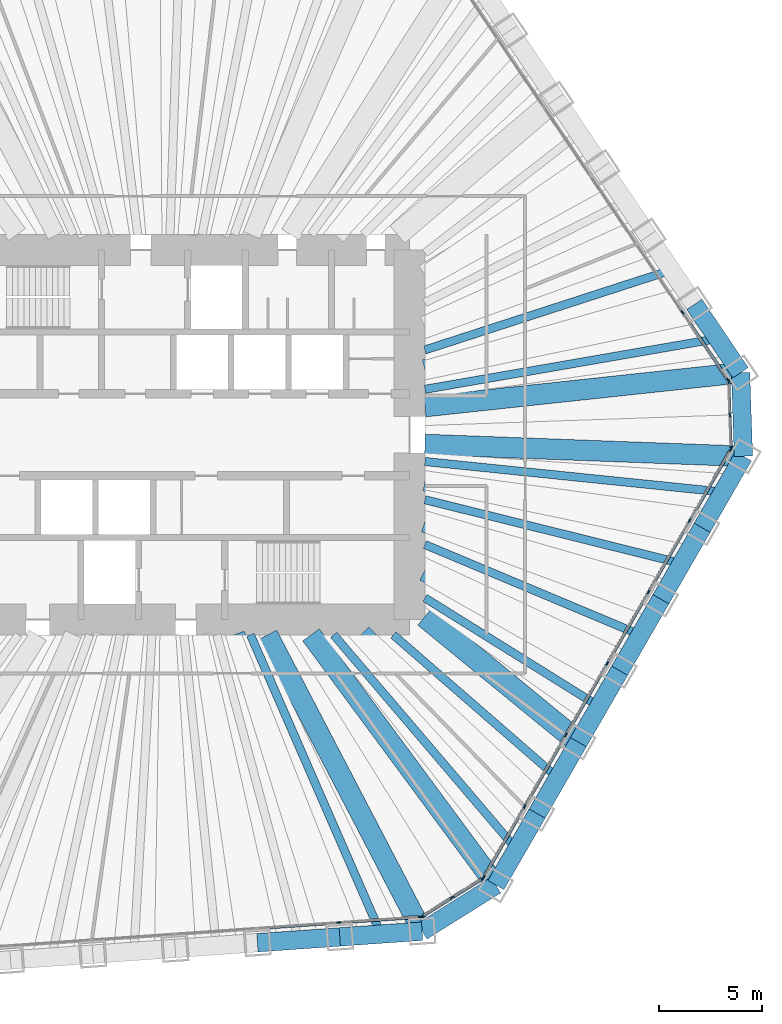
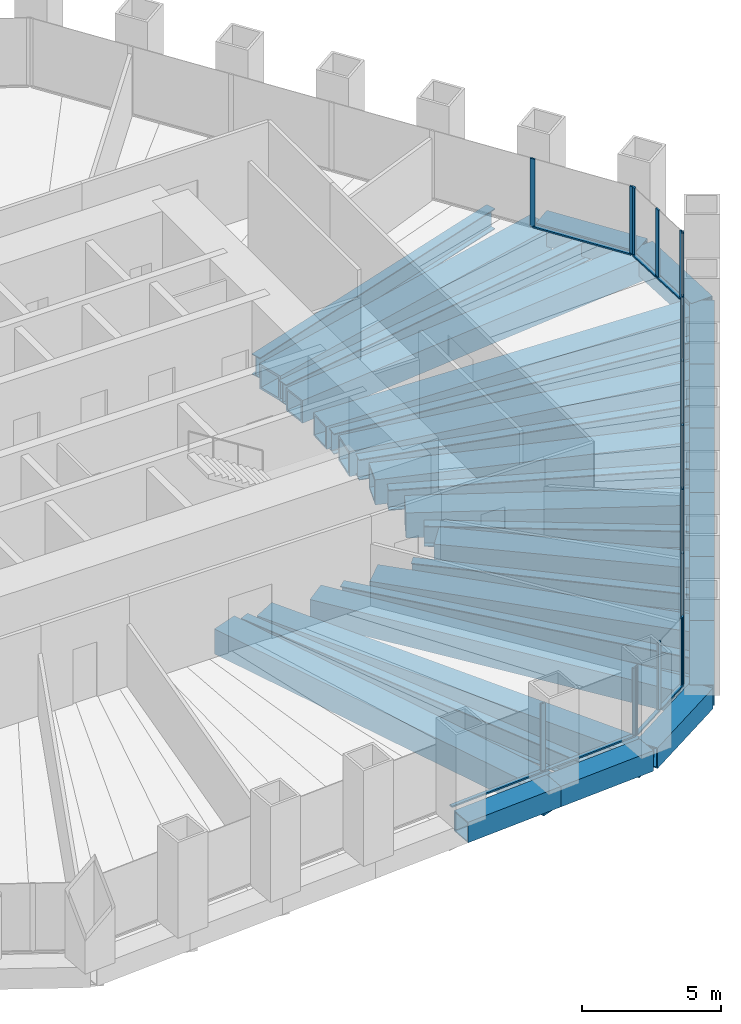
# One storey, part 4 of 12: 31 beams, 30 members, 5 elements without a shape of their own.
"""IFC4 building model written with IfcOpenShell, lengths in metres."""

import ifcopenshell
import ifcopenshell.guid

model = None  # the IFC model being written
_history = None  # IfcOwnerHistory: only IFC2X3 demands one
_inside = {}  # id of a spatial element -> (the spatial element, [elements in it])
_under = {}  # id of a project, library or spatial element -> (it, [spatial elements below it])
_declared = {}  # id of a project -> (the project, [libraries it declares])
_typed = {}  # id of a type object -> (the type object, [elements of that type])
_made_of = {}  # id of a material, layer set ... -> (it, [elements and type objects made of it])


def new_model(schema):
    """Start an empty IFC model of exactly this schema.

    Asked for "IFC4X3", IfcOpenShell would pick the latest addendum, in which some entities
    have other attributes; the version numbers below select the first issue.
    IFC2X3 requires an IfcOwnerHistory on every rooted entity: one is made here for all.
    """
    global model, _history
    if schema == "IFC4X3":
        model = ifcopenshell.file(schema_version=(4, 3, 0, 0))
    else:
        model = ifcopenshell.file(schema=schema)
    _inside.clear()
    _under.clear()
    _declared.clear()
    _typed.clear()
    _made_of.clear()
    _history = None
    if model.schema == "IFC2X3":
        org = make("IfcOrganization", Name="unknown")
        user = make(
            "IfcPersonAndOrganization",
            ThePerson=make("IfcPerson", FamilyName="unknown"),
            TheOrganization=org,
        )
        app = make(
            "IfcApplication",
            ApplicationDeveloper=org,
            Version="unknown",
            ApplicationFullName="unknown",
            ApplicationIdentifier="unknown",
        )
        _history = make(
            "IfcOwnerHistory",
            OwningUser=user,
            OwningApplication=app,
            ChangeAction="ADDED",
            CreationDate=0,
        )
    return model


def make(cls, **values):
    """One entity of the class cls with the attributes given. An attribute that is None is left unset."""
    return model.create_entity(
        cls, **{name: value for name, value in values.items() if value is not None}
    )


def rooted(cls, **values):
    """An entity with a GlobalId (a new one), such as an element, a storey or a relation."""
    return make(cls, GlobalId=ifcopenshell.guid.new(), OwnerHistory=_history, **values)


def si_unit(unit_type, name, prefix=None):
    """IfcSIUnit, for example si_unit("LENGTHUNIT", "METRE", prefix="MILLI")."""
    return make("IfcSIUnit", UnitType=unit_type, Prefix=prefix, Name=name)


def assignment(units):
    """IfcUnitAssignment: the units of a project."""
    return None if units is None else make("IfcUnitAssignment", Units=units)


def point(xyz):
    """IfcCartesianPoint."""
    return None if xyz is None else make("IfcCartesianPoint", Coordinates=xyz)


def direction(xyz):
    """IfcDirection."""
    return None if xyz is None else make("IfcDirection", DirectionRatios=xyz)


def frame(location, z_axis=None, x_axis=None):
    """IfcAxis2Placement3D, a coordinate frame: its origin and axes. An axis left out is left unset."""
    return make(
        "IfcAxis2Placement3D",
        Location=point(location),
        Axis=direction(z_axis),
        RefDirection=direction(x_axis),
    )


def frame_2d(location, x_axis=None):
    """IfcAxis2Placement2D, a coordinate frame in the plane: its origin and x axis."""
    return make(
        "IfcAxis2Placement2D", Location=point(location), RefDirection=direction(x_axis)
    )


def origin():
    """The frame at (0, 0, 0) with its axes left unset."""
    return frame((0.0, 0.0, 0.0))


def origin_2d():
    """The frame at (0, 0) in the plane with its x axis left unset."""
    return frame_2d((0.0, 0.0))


def place(relative_to, where):
    """IfcLocalPlacement: puts the frame where relative to a parent placement (None: the world)."""
    return make(
        "IfcLocalPlacement", PlacementRelTo=relative_to, RelativePlacement=where
    )


def context(
    kind, dimensions, precision=None, world=None, true_north=None, identifier=None
):
    """IfcGeometricRepresentationContext, for example the 3D "Model" context."""
    return make(
        "IfcGeometricRepresentationContext",
        ContextIdentifier=identifier,
        ContextType=kind,
        CoordinateSpaceDimension=dimensions,
        Precision=precision,
        WorldCoordinateSystem=world,
        TrueNorth=true_north,
    )


def subcontext(parent, identifier, kind, view, scale=None):
    """IfcGeometricRepresentationSubContext, for example "Body" below "Model"."""
    return make(
        "IfcGeometricRepresentationSubContext",
        ContextIdentifier=identifier,
        ContextType=kind,
        ParentContext=parent,
        TargetScale=scale,
        TargetView=view,
    )


def project(units=None, contexts=None):
    """IfcProject with its units and contexts."""
    return rooted(
        "IfcProject",
        Name="project",
        RepresentationContexts=contexts,
        UnitsInContext=assignment(units),
    )


def spatial(cls, under=None, at=None, **own):
    """A site, building, storey or space (cls), placed at a placement, below another one or the project."""
    s = rooted(cls, ObjectPlacement=at, **own)
    if under is not None:
        _under.setdefault(under.id(), (under, []))[1].append(s)
    return s


def profile(cls, at=None, kind="AREA", **sizes):
    """A parametric profile (cls). Its sizes go by their IFC names, for example OverallWidth=200.0."""
    return make(cls, ProfileType=kind, Position=at, **sizes)


def rectangle(**sizes):
    """IfcRectangleProfileDef."""
    return profile("IfcRectangleProfileDef", **sizes)


def hollow_rectangle(**sizes):
    """IfcRectangleHollowProfileDef."""
    return profile("IfcRectangleHollowProfileDef", **sizes)


def i_section(**sizes):
    """IfcIShapeProfileDef."""
    return profile("IfcIShapeProfileDef", **sizes)


def extrude(swept, where, along, depth):
    """IfcExtrudedAreaSolid: the profile swept, set in the frame where, extruded along a direction by depth."""
    return make(
        "IfcExtrudedAreaSolid",
        SweptArea=swept,
        Position=where,
        ExtrudedDirection=direction(along),
        Depth=depth,
    )


def shape(context_of_items, identifier, shape_type, items):
    """IfcShapeRepresentation: the items that make up one representation, for example the "Body"."""
    return make(
        "IfcShapeRepresentation",
        ContextOfItems=context_of_items,
        RepresentationIdentifier=identifier,
        RepresentationType=shape_type,
        Items=items,
    )


def material(Name=None, Category=None):
    """IfcMaterial."""
    return make("IfcMaterial", Name=Name, Category=Category)


def material_profile(
    of_material, cross_section, Name=None, Category=None, Priority=None
):
    """IfcMaterialProfile: a cross section and its material."""
    return make(
        "IfcMaterialProfile",
        Name=Name,
        Material=of_material,
        Profile=cross_section,
        Priority=Priority,
        Category=Category,
    )


def profile_set(profiles, Name=None, composite=None):
    """IfcMaterialProfileSet."""
    return make(
        "IfcMaterialProfileSet",
        Name=Name,
        MaterialProfiles=profiles,
        CompositeProfile=composite,
    )


def made_of(thing, what):
    """Note that an element or type object is made of a material, layer set ...; save() writes the relation."""
    if what is not None:
        _made_of.setdefault(what.id(), (what, []))[1].append(thing)
    return thing


def type_object(cls, material=None, **own):
    """A type object (cls), such as IfcWallType, which elements share."""
    return made_of(rooted(cls, **own), material)


def element(
    cls,
    number,
    at=None,
    inside=None,
    cuts=None,
    type_object=None,
    material=None,
    context=None,
    identifier="Body",
    shape_type=None,
    held_by="IfcProductDefinitionShape",
    body=None,
    shapes=None,
    **own,
):
    """One element of the class cls, such as IfcWall. Its Tag is "e" and its number.

    at: its placement. inside: the storey or other place that contains it. cuts: it is an
    opening in that element (IfcRelVoidsElement). A single representation is given by context,
    identifier, shape_type and body (its items); several are given by shapes. held_by: the class
    of the entity that holds the representations. save() writes the other relations.
    """
    e = rooted(cls, Tag="e%d" % number, ObjectPlacement=at, **own)
    if body is not None:
        shapes = [shape(context, identifier, shape_type, body)]
    if shapes is not None:
        e.Representation = make(held_by, Representations=shapes)
    if inside is not None:
        _inside.setdefault(inside.id(), (inside, []))[1].append(e)
    if cuts is not None:
        rooted(
            "IfcRelVoidsElement", RelatingBuildingElement=cuts, RelatedOpeningElement=e
        )
    if type_object is not None:
        _typed.setdefault(type_object.id(), (type_object, []))[1].append(e)
    return made_of(e, material)


def aggregate(whole, parts):
    """IfcRelAggregates: a whole, such as a stair, and the parts it consists of."""
    return rooted("IfcRelAggregates", RelatingObject=whole, RelatedObjects=parts)


def save(model, path):
    """Write the relations noted so far, then the file.

    IfcRelAggregates (storeys below a building ...), IfcRelContainedInSpatialStructure (elements
    in a storey), IfcRelDefinesByType, IfcRelAssociatesMaterial and IfcRelDeclares: one each for
    every whole, place, type object, material and project.
    """
    for whole, parts in _under.values():
        aggregate(whole, parts)
    for where, things in _inside.values():
        rooted(
            "IfcRelContainedInSpatialStructure",
            RelatedElements=things,
            RelatingStructure=where,
        )
    for kind, things in _typed.values():
        rooted("IfcRelDefinesByType", RelatedObjects=things, RelatingType=kind)
    for what, things in _made_of.values():
        rooted("IfcRelAssociatesMaterial", RelatedObjects=things, RelatingMaterial=what)
    for by, libraries in _declared.values():
        rooted("IfcRelDeclares", RelatingContext=by, RelatedDefinitions=libraries)
    model.write(path)


model = new_model("IFC4")

# Units and contexts
model_context = context("Model", 3, precision=1e-05, world=origin(), true_north=direction((0.0, 1.0)))
body_context = subcontext(model_context, "Body", "Model", "MODEL_VIEW")
ifc_project = project(units=[si_unit("LENGTHUNIT", "METRE"), si_unit("AREAUNIT", "SQUARE_METRE"), si_unit("VOLUMEUNIT", "CUBIC_METRE"), si_unit("PLANEANGLEUNIT", "RADIAN"), si_unit("MASSUNIT", "GRAM", prefix="KILO")], contexts=[model_context])

# Site, building, storey
site_placement = place(None, origin())
site = spatial("IfcSite", under=ifc_project, at=site_placement, CompositionType="ELEMENT")
building_placement = place(site_placement, origin())
building = spatial("IfcBuilding", under=site, at=building_placement, Name="Qingtian Harvest Tower", CompositionType="ELEMENT")
storey_placement = place(building_placement, frame((0.0, 0.0, 170.199951171875)))
storey = spatial("IfcBuildingStorey", under=building, at=storey_placement, Name="L36", CompositionType="ELEMENT", Elevation=170.199951171875)

# Beams
ifc_material_1 = material(Name="Steel SN490B", Category="steel")
ifc_material_profile_1 = material_profile(ifc_material_1, i_section(OverallWidth=0.39990234375, OverallDepth=0.89990234375, WebThickness=0.01904296875, FlangeThickness=0.035888671875, at=origin_2d()), Name="H900x400x19x36")
ifc_profile_set_1 = profile_set([ifc_material_profile_1], Name="Steel SN490B")
beam_type_1 = type_object("IfcBeamType", Name="Floor joist J4 H900x400x19x36", PredefinedType="JOIST", material=ifc_profile_set_1)
beam_1_placement = place(storey_placement, frame((24.748291015625, 8.016357421875, -0.619873046875), z_axis=(-0.951335907519, -0.308155790249, 0.0), x_axis=(0.308155790249, -0.951335907519, 0.0)))
element("IfcBeam", 1, at=beam_1_placement, inside=storey, type_object=beam_type_1, Name="Floor joist J4 NE4", PredefinedType="JOIST", context=body_context, shape_type="SweptSolid", body=[
    extrude(i_section(OverallWidth=0.39990234375, OverallDepth=0.89990234375, WebThickness=0.01904296875, FlangeThickness=0.035888671875, at=origin_2d()), origin(), (0.0, 0.0, 1.0), 12.612060546875),
])
beam_2_placement = place(storey_placement, frame((26.99560546875, 4.6845703125, -0.619873046875), z_axis=(-0.985273903188, -0.17098343691, 0.0), x_axis=(0.17098343691, -0.985273903188, 0.0)))
element("IfcBeam", 2, at=beam_2_placement, inside=storey, type_object=beam_type_1, Name="Floor joist J4 NE5", PredefinedType="JOIST", context=body_context, shape_type="SweptSolid", body=[
    extrude(i_section(OverallWidth=0.39990234375, OverallDepth=0.89990234375, WebThickness=0.01904296875, FlangeThickness=0.035888671875, at=origin_2d()), origin(), (0.0, 0.0, 1.0), 14.45849609375),
])
beam_3_placement = place(storey_placement, frame((27.2568359375, -2.7900390625, -0.619873046875), z_axis=(-0.994802418411, 0.101824104826, 0.0), x_axis=(-0.101824104826, -0.994802418411, 0.0)))
element("IfcBeam", 3, at=beam_3_placement, inside=storey, type_object=beam_type_1, Name="Floor joist J4 SE0", PredefinedType="JOIST", context=body_context, shape_type="SweptSolid", body=[
    extrude(i_section(OverallWidth=0.39990234375, OverallDepth=0.89990234375, WebThickness=0.01904296875, FlangeThickness=0.035888671875, at=origin_2d()), origin(), (0.0, 0.0, 1.0), 14.58251953125),
])
beam_4_placement = place(storey_placement, frame((25.247314453125, -6.2705078125, -0.619873046875), z_axis=(-0.970517179244, 0.241031958032, 0.0), x_axis=(-0.241031958032, -0.970517179244, 0.0)))
element("IfcBeam", 4, at=beam_4_placement, inside=storey, type_object=beam_type_1, Name="Floor joist J4 SE1", PredefinedType="JOIST", context=body_context, shape_type="SweptSolid", body=[
    extrude(i_section(OverallWidth=0.39990234375, OverallDepth=0.89990234375, WebThickness=0.01904296875, FlangeThickness=0.035888671875, at=origin_2d()), origin(), (0.0, 0.0, 1.0), 12.876953125),
])
beam_5_placement = place(storey_placement, frame((23.237548828125, -9.751220703125, -0.619873046875), z_axis=(-0.922104219626, 0.386941608189, 0.0), x_axis=(-0.386941608189, -0.922104219626, 0.0)))
element("IfcBeam", 5, at=beam_5_placement, inside=storey, type_object=beam_type_1, Name="Floor joist J4 SE2", PredefinedType="JOIST", context=body_context, shape_type="SweptSolid", body=[
    extrude(i_section(OverallWidth=0.39990234375, OverallDepth=0.89990234375, WebThickness=0.01904296875, FlangeThickness=0.035888671875, at=origin_2d()), origin(), (0.0, 0.0, 1.0), 11.37353515625),
])
beam_6_placement = place(storey_placement, frame((21.22802734375, -13.23193359375, -0.619873046875), z_axis=(-0.848631984892, 0.528983699389, 0.0), x_axis=(-0.528983699389, -0.848631984892, 0.0)))
element("IfcBeam", 6, at=beam_6_placement, inside=storey, type_object=beam_type_1, Name="Floor joist J4 SE3", PredefinedType="JOIST", context=body_context, shape_type="SweptSolid", body=[
    extrude(i_section(OverallWidth=0.39990234375, OverallDepth=0.89990234375, WebThickness=0.01904296875, FlangeThickness=0.035888671875, at=origin_2d()), origin(), (0.0, 0.0, 1.0), 9.990234375),
])
beam_7_placement = place(storey_placement, frame((19.218505859375, -16.71240234375, -0.619873046875), z_axis=(-0.754588679317, 0.656198083697, 0.0), x_axis=(-0.656198083697, -0.754588679317, 0.0)))
element("IfcBeam", 7, at=beam_7_placement, inside=storey, type_object=beam_type_1, Name="Floor joist J4 SE4", PredefinedType="JOIST", context=body_context, shape_type="SweptSolid", body=[
    extrude(i_section(OverallWidth=0.39990234375, OverallDepth=0.89990234375, WebThickness=0.01904296875, FlangeThickness=0.035888671875, at=origin_2d()), origin(), (0.0, 0.0, 1.0), 10.610107421875),
])
beam_8_placement = place(storey_placement, frame((17.208984375, -20.193115234375, -0.619873046875), z_axis=(-0.648631797865, 0.76110235238, 0.0), x_axis=(-0.76110235238, -0.648631797865, 0.0)))
element("IfcBeam", 8, at=beam_8_placement, inside=storey, type_object=beam_type_1, Name="Floor joist J4 SE5", PredefinedType="JOIST", context=body_context, shape_type="SweptSolid", body=[
    extrude(i_section(OverallWidth=0.39990234375, OverallDepth=0.89990234375, WebThickness=0.01904296875, FlangeThickness=0.035888671875, at=origin_2d()), origin(), (0.0, 0.0, 1.0), 13.720947265625),
])
beam_9_placement = place(storey_placement, frame((10.60546875, -24.3193359375, -0.619873046875), z_axis=(-0.399732363577, 0.916631898588, 0.0), x_axis=(-0.916631898588, -0.399732363577, 0.0)))
element("IfcBeam", 9, at=beam_9_placement, inside=storey, type_object=beam_type_1, Name="Floor joist J4 S0", PredefinedType="JOIST", context=body_context, shape_type="SweptSolid", body=[
    extrude(i_section(OverallWidth=0.39990234375, OverallDepth=0.89990234375, WebThickness=0.01904296875, FlangeThickness=0.035888671875, at=origin_2d()), origin(), (0.0, 0.0, 1.0), 15.89453125),
])

# Curtain wall, members
ifc_material_2 = material(Name="Bronze-anodised aluminium curtain wall", Category="aluminium")
curtain_wall_type = type_object("IfcCurtainWallType", Name="Curtain wall CW4 office", PredefinedType="USERDEFINED", material=ifc_material_2)
curtain_wall_1_placement = place(storey_placement, origin())
curtain_wall_1 = element("IfcCurtainWall", 10, at=curtain_wall_1_placement, inside=storey, type_object=curtain_wall_type, Name="Curtain wall CW4 L36 NE0-5", ObjectType="RECESSED CURTAIN WALL", PredefinedType="USERDEFINED")
ifc_material_3 = material(Name="Bronze-anodised aluminium mullion", Category="aluminium")
ifc_material_profile_2 = material_profile(ifc_material_3, rectangle(XDim=0.06494140625, YDim=0.199951171875, at=origin_2d()), Name="AL 65x200")
ifc_profile_set_2 = profile_set([ifc_material_profile_2], Name="Bronze-anodised aluminium mullion")
member_type_1 = type_object("IfcMemberType", Name="Mullion CWM 65x200", PredefinedType="MULLION", material=ifc_profile_set_2)
member_1_placement = place(storey_placement, frame((25.291748046875, 5.958984375, 0.0), z_axis=(0.0, 0.0, 1.0), x_axis=(0.829037572555, 0.559192903471, 0.0)))
member_1 = element("IfcMember", 11, at=member_1_placement, type_object=member_type_1, Name="CW4 mullion 6", PredefinedType="MULLION", context=body_context, shape_type="SweptSolid", body=[
    extrude(rectangle(XDim=0.06494140625, YDim=0.199951171875, at=origin_2d()), origin(), (0.0, 0.0, 1.0), 3.0),
])
member_2_placement = place(storey_placement, frame((27.52099609375, 2.654052734375, 0.0), z_axis=(0.0, 0.0, 1.0), x_axis=(0.829037572555, 0.559192903471, 0.0)))
member_2 = element("IfcMember", 12, at=member_2_placement, type_object=member_type_1, Name="CW4 mullion 7", PredefinedType="MULLION", context=body_context, shape_type="SweptSolid", body=[
    extrude(rectangle(XDim=0.06494140625, YDim=0.199951171875, at=origin_2d()), origin(), (0.0, 0.0, 1.0), 3.0),
])

curtain_wall_2_placement = place(storey_placement, origin())
curtain_wall_2 = element("IfcCurtainWall", 13, at=curtain_wall_2_placement, inside=storey, type_object=curtain_wall_type, Name="Curtain wall CW4 L36 NEC", ObjectType="RECESSED CURTAIN WALL", PredefinedType="USERDEFINED")
member_3_placement = place(storey_placement, frame((27.540283203125, 2.594482421875, 0.0), z_axis=(0.0, 0.0, 1.0), x_axis=(0.999390827019, 0.034899496703, 0.0)))
member_3 = element("IfcMember", 14, at=member_3_placement, type_object=member_type_1, Name="CW4 mullion 1", PredefinedType="MULLION", context=body_context, shape_type="SweptSolid", body=[
    extrude(rectangle(XDim=0.06494140625, YDim=0.199951171875, at=origin_2d()), origin(), (0.0, 0.0, 1.0), 3.0),
])
member_4_placement = place(storey_placement, frame((27.59716796875, 0.963623046875, 0.0), z_axis=(0.0, 0.0, 1.0), x_axis=(0.999390827019, 0.034899496703, 0.0)))
member_4 = element("IfcMember", 15, at=member_4_placement, type_object=member_type_1, Name="CW4 mullion 2", PredefinedType="MULLION", context=body_context, shape_type="SweptSolid", body=[
    extrude(rectangle(XDim=0.06494140625, YDim=0.199951171875, at=origin_2d()), origin(), (0.0, 0.0, 1.0), 3.0),
])
member_5_placement = place(storey_placement, frame((27.654052734375, -0.667236328125, 0.0), z_axis=(0.0, 0.0, 1.0), x_axis=(0.999390827019, 0.034899496703, 0.0)))
member_5 = element("IfcMember", 16, at=member_5_placement, type_object=member_type_1, Name="CW4 mullion 3", PredefinedType="MULLION", context=body_context, shape_type="SweptSolid", body=[
    extrude(rectangle(XDim=0.06494140625, YDim=0.199951171875, at=origin_2d()), origin(), (0.0, 0.0, 1.0), 3.0),
])

curtain_wall_3_placement = place(storey_placement, origin())
curtain_wall_3 = element("IfcCurtainWall", 17, at=curtain_wall_3_placement, inside=storey, type_object=curtain_wall_type, Name="Curtain wall CW4 L36 SE0-5", ObjectType="RECESSED CURTAIN WALL", PredefinedType="USERDEFINED")
member_6_placement = place(storey_placement, frame((27.638916015625, -0.727783203125, 0.0), z_axis=(0.0, 0.0, 1.0), x_axis=(0.866025403784, -0.5, 0.0)))
member_6 = element("IfcMember", 18, at=member_6_placement, type_object=member_type_1, Name="CW4 mullion 1", PredefinedType="MULLION", context=body_context, shape_type="SweptSolid", body=[
    extrude(rectangle(XDim=0.06494140625, YDim=0.199951171875, at=origin_2d()), origin(), (0.0, 0.0, 1.0), 3.0),
])
member_7_placement = place(storey_placement, frame((25.645751953125, -4.18017578125, 0.0), z_axis=(0.0, 0.0, 1.0), x_axis=(0.866025403784, -0.5, 0.0)))
member_7 = element("IfcMember", 19, at=member_7_placement, type_object=member_type_1, Name="CW4 mullion 2", PredefinedType="MULLION", context=body_context, shape_type="SweptSolid", body=[
    extrude(rectangle(XDim=0.06494140625, YDim=0.199951171875, at=origin_2d()), origin(), (0.0, 0.0, 1.0), 3.0),
])
member_8_placement = place(storey_placement, frame((23.63623046875, -7.660888671875, 0.0), z_axis=(0.0, 0.0, 1.0), x_axis=(0.866025403784, -0.5, 0.0)))
member_8 = element("IfcMember", 20, at=member_8_placement, type_object=member_type_1, Name="CW4 mullion 3", PredefinedType="MULLION", context=body_context, shape_type="SweptSolid", body=[
    extrude(rectangle(XDim=0.06494140625, YDim=0.199951171875, at=origin_2d()), origin(), (0.0, 0.0, 1.0), 3.0),
])
member_9_placement = place(storey_placement, frame((21.626708984375, -11.1416015625, 0.0), z_axis=(0.0, 0.0, 1.0), x_axis=(0.866025403784, -0.5, 0.0)))
member_9 = element("IfcMember", 21, at=member_9_placement, type_object=member_type_1, Name="CW4 mullion 4", PredefinedType="MULLION", context=body_context, shape_type="SweptSolid", body=[
    extrude(rectangle(XDim=0.06494140625, YDim=0.199951171875, at=origin_2d()), origin(), (0.0, 0.0, 1.0), 3.0),
])
member_10_placement = place(storey_placement, frame((19.6171875, -14.6220703125, 0.0), z_axis=(0.0, 0.0, 1.0), x_axis=(0.866025403784, -0.5, 0.0)))
member_10 = element("IfcMember", 22, at=member_10_placement, type_object=member_type_1, Name="CW4 mullion 5", PredefinedType="MULLION", context=body_context, shape_type="SweptSolid", body=[
    extrude(rectangle(XDim=0.06494140625, YDim=0.199951171875, at=origin_2d()), origin(), (0.0, 0.0, 1.0), 3.0),
])
member_11_placement = place(storey_placement, frame((17.607666015625, -18.102783203125, 0.0), z_axis=(0.0, 0.0, 1.0), x_axis=(0.866025403784, -0.5, 0.0)))
member_11 = element("IfcMember", 23, at=member_11_placement, type_object=member_type_1, Name="CW4 mullion 6", PredefinedType="MULLION", context=body_context, shape_type="SweptSolid", body=[
    extrude(rectangle(XDim=0.06494140625, YDim=0.199951171875, at=origin_2d()), origin(), (0.0, 0.0, 1.0), 3.0),
])
member_12_placement = place(storey_placement, frame((15.6142578125, -21.55517578125, 0.0), z_axis=(0.0, 0.0, 1.0), x_axis=(0.866025403784, -0.5, 0.0)))
member_12 = element("IfcMember", 24, at=member_12_placement, type_object=member_type_1, Name="CW4 mullion 7", PredefinedType="MULLION", context=body_context, shape_type="SweptSolid", body=[
    extrude(rectangle(XDim=0.06494140625, YDim=0.199951171875, at=origin_2d()), origin(), (0.0, 0.0, 1.0), 3.0),
])

curtain_wall_4_placement = place(storey_placement, origin())
curtain_wall_4 = element("IfcCurtainWall", 25, at=curtain_wall_4_placement, inside=storey, type_object=curtain_wall_type, Name="Curtain wall CW4 L36 SEC", ObjectType="RECESSED CURTAIN WALL", PredefinedType="USERDEFINED")
member_13_placement = place(storey_placement, frame((15.570556640625, -21.6005859375, 0.0), z_axis=(0.0, 0.0, 1.0), x_axis=(0.529919264233, -0.848048096156, 0.0)))
member_13 = element("IfcMember", 26, at=member_13_placement, type_object=member_type_1, Name="CW4 mullion 1", PredefinedType="MULLION", context=body_context, shape_type="SweptSolid", body=[
    extrude(rectangle(XDim=0.06494140625, YDim=0.199951171875, at=origin_2d()), origin(), (0.0, 0.0, 1.0), 3.0),
])
member_14_placement = place(storey_placement, frame((14.07958984375, -22.5322265625, 0.0), z_axis=(0.0, 0.0, 1.0), x_axis=(0.529919264233, -0.848048096156, 0.0)))
member_14 = element("IfcMember", 27, at=member_14_placement, type_object=member_type_1, Name="CW4 mullion 2", PredefinedType="MULLION", context=body_context, shape_type="SweptSolid", body=[
    extrude(rectangle(XDim=0.06494140625, YDim=0.199951171875, at=origin_2d()), origin(), (0.0, 0.0, 1.0), 3.0),
])
member_15_placement = place(storey_placement, frame((12.5888671875, -23.4638671875, 0.0), z_axis=(0.0, 0.0, 1.0), x_axis=(0.529919264233, -0.848048096156, 0.0)))
member_15 = element("IfcMember", 28, at=member_15_placement, type_object=member_type_1, Name="CW4 mullion 3", PredefinedType="MULLION", context=body_context, shape_type="SweptSolid", body=[
    extrude(rectangle(XDim=0.06494140625, YDim=0.199951171875, at=origin_2d()), origin(), (0.0, 0.0, 1.0), 3.0),
])

curtain_wall_5_placement = place(storey_placement, origin())
curtain_wall_5 = element("IfcCurtainWall", 29, at=curtain_wall_5_placement, inside=storey, type_object=curtain_wall_type, Name="Curtain wall CW4 L36 S0-5", ObjectType="RECESSED CURTAIN WALL", PredefinedType="USERDEFINED")
member_16_placement = place(storey_placement, frame((12.52880859375, -23.483154296875, 0.0), z_axis=(0.0, 0.0, 1.0), x_axis=(0.069756473744, -0.99756405026, 0.0)))
member_16 = element("IfcMember", 30, at=member_16_placement, type_object=member_type_1, Name="CW4 mullion 1", PredefinedType="MULLION", context=body_context, shape_type="SweptSolid", body=[
    extrude(rectangle(XDim=0.06494140625, YDim=0.199951171875, at=origin_2d()), origin(), (0.0, 0.0, 1.0), 3.0),
])
member_17_placement = place(storey_placement, frame((8.552001953125, -23.76123046875, 0.0), z_axis=(0.0, 0.0, 1.0), x_axis=(0.069756473744, -0.99756405026, 0.0)))
member_17 = element("IfcMember", 31, at=member_17_placement, type_object=member_type_1, Name="CW4 mullion 2", PredefinedType="MULLION", context=body_context, shape_type="SweptSolid", body=[
    extrude(rectangle(XDim=0.06494140625, YDim=0.199951171875, at=origin_2d()), origin(), (0.0, 0.0, 1.0), 3.0),
])

# Beams
ifc_material_4 = material(Name="Steel SM570MC", Category="steel")
ifc_material_profile_3 = material_profile(ifc_material_4, hollow_rectangle(XDim=1.0, YDim=1.0, WallThickness=0.080078125, at=origin_2d()), Name="BOX1000x1000x80")
ifc_profile_set_3 = profile_set([ifc_material_profile_3], Name="Steel SM570MC")
beam_type_2 = type_object("IfcBeamType", Name="Transfer corner beam FB11 BOX1000x1000x80", PredefinedType="BEAM", material=ifc_profile_set_3)
beam_10_placement = place(storey_placement, frame((28.119384765625, 3.0185546875, -0.669921875), z_axis=(-0.994287324052, -0.106736672374, 0.0), x_axis=(0.106736672374, -0.994287324052, 0.0)))
element("IfcBeam", 32, at=beam_10_placement, inside=storey, type_object=beam_type_2, Name="Floor beam FB11 NE6", PredefinedType="BEAM", context=body_context, shape_type="SweptSolid", body=[
    extrude(hollow_rectangle(XDim=1.0, YDim=1.0, WallThickness=0.080078125, at=origin_2d()), origin(), (0.0, 0.0, 1.0), 15.457763671875),
])
beam_11_placement = place(storey_placement, frame((28.261474609375, -1.049560546875, -0.669921875), z_axis=(-0.999311425285, 0.03710357523, 0.0), x_axis=(-0.03710357523, -0.999311425285, 0.0)))
element("IfcBeam", 33, at=beam_11_placement, inside=storey, type_object=beam_type_2, Name="Floor beam FB11 SE0", PredefinedType="BEAM", context=body_context, shape_type="SweptSolid", body=[
    extrude(hollow_rectangle(XDim=1.0, YDim=1.0, WallThickness=0.080078125, at=origin_2d()), origin(), (0.0, 0.0, 1.0), 15.522216796875),
])
beam_12_placement = place(storey_placement, frame((16.204345703125, -21.933349609375, -0.669921875), z_axis=(-0.594215666968, 0.804305751023, 0.0), x_axis=(-0.804305751023, -0.594215666968, 0.0)))
element("IfcBeam", 34, at=beam_12_placement, inside=storey, type_object=beam_type_2, Name="Floor beam FB11 SE6", PredefinedType="BEAM", context=body_context, shape_type="SweptSolid", body=[
    extrude(hollow_rectangle(XDim=1.0, YDim=1.0, WallThickness=0.080078125, at=origin_2d()), origin(), (0.0, 0.0, 1.0), 15.147705078125),
])
beam_13_placement = place(storey_placement, frame((12.610107421875, -24.17919921875, -0.669921875), z_axis=(-0.462414751295, 0.886663745613, 0.0), x_axis=(-0.886663745613, -0.462414751295, 0.0)))
element("IfcBeam", 35, at=beam_13_placement, inside=storey, type_object=beam_type_2, Name="Floor beam FB11 S0", PredefinedType="BEAM", context=body_context, shape_type="SweptSolid", body=[
    extrude(hollow_rectangle(XDim=1.0, YDim=1.0, WallThickness=0.080078125, at=origin_2d()), origin(), (0.0, 0.0, 1.0), 16.273681640625),
])
ifc_material_5 = material(Name="Steel SM570MC", Category="steel")
ifc_material_profile_4 = material_profile(ifc_material_5, hollow_rectangle(XDim=1.10009765625, YDim=1.10009765625, WallThickness=0.10009765625, at=origin_2d()), Name="BOX1100x1100x100")
ifc_profile_set_4 = profile_set([ifc_material_profile_4], Name="Steel SM570MC")
beam_type_3 = type_object("IfcBeamType", Name="Transfer floor beam FB9 BOX1100x1100x100", PredefinedType="BEAM", material=ifc_profile_set_4)
beam_14_placement = place(storey_placement, frame((25.8720703125, 6.3505859375, -0.719970703125), z_axis=(-0.971170997483, -0.2383839207, 0.0), x_axis=(0.2383839207, -0.971170997483, 0.0)))
element("IfcBeam", 36, at=beam_14_placement, inside=storey, type_object=beam_type_3, Name="Floor beam FB9 NE5", PredefinedType="BEAM", context=body_context, shape_type="SweptSolid", body=[
    extrude(hollow_rectangle(XDim=1.10009765625, YDim=1.10009765625, WallThickness=0.10009765625, at=origin_2d()), origin(), (0.0, 0.0, 1.0), 13.511474609375),
])
beam_15_placement = place(storey_placement, frame((26.251953125, -4.5302734375, -0.719970703125), z_axis=(-0.985433767107, 0.170059667895, 0.0), x_axis=(-0.170059667895, -0.985433767107, 0.0)))
element("IfcBeam", 37, at=beam_15_placement, inside=storey, type_object=beam_type_3, Name="Floor beam FB9 SE1", PredefinedType="BEAM", context=body_context, shape_type="SweptSolid", body=[
    extrude(hollow_rectangle(XDim=1.10009765625, YDim=1.10009765625, WallThickness=0.10009765625, at=origin_2d()), origin(), (0.0, 0.0, 1.0), 13.701416015625),
])
beam_16_placement = place(storey_placement, frame((24.242431640625, -8.010986328125, -0.719970703125), z_axis=(-0.949497047328, 0.31377596644, 0.0), x_axis=(-0.31377596644, -0.949497047328, 0.0)))
element("IfcBeam", 38, at=beam_16_placement, inside=storey, type_object=beam_type_3, Name="Floor beam FB9 SE2", PredefinedType="BEAM", context=body_context, shape_type="SweptSolid", body=[
    extrude(hollow_rectangle(XDim=1.10009765625, YDim=1.10009765625, WallThickness=0.10009765625, at=origin_2d()), origin(), (0.0, 0.0, 1.0), 12.103759765625),
])
beam_17_placement = place(storey_placement, frame((22.23291015625, -11.491455078125, -0.719970703125), z_axis=(-0.888354700773, 0.459157843899, 0.0), x_axis=(-0.459157843899, -0.888354700773, 0.0)))
element("IfcBeam", 39, at=beam_17_placement, inside=storey, type_object=beam_type_3, Name="Floor beam FB9 SE3", PredefinedType="BEAM", context=body_context, shape_type="SweptSolid", body=[
    extrude(hollow_rectangle(XDim=1.10009765625, YDim=1.10009765625, WallThickness=0.10009765625, at=origin_2d()), origin(), (0.0, 0.0, 1.0), 10.6748046875),
])
beam_18_placement = place(storey_placement, frame((20.223388671875, -14.97216796875, -0.719970703125), z_axis=(-0.773577716445, 0.633701441233, 0.0), x_axis=(-0.633701441233, -0.773577716445, 0.0)))
element("IfcBeam", 40, at=beam_18_placement, inside=storey, type_object=beam_type_3, Name="Floor beam FB9 SE4", PredefinedType="BEAM", context=body_context, shape_type="SweptSolid", body=[
    extrude(hollow_rectangle(XDim=1.10009765625, YDim=1.10009765625, WallThickness=0.10009765625, at=origin_2d()), origin(), (0.0, 0.0, 1.0), 9.660888671875),
])
beam_19_placement = place(storey_placement, frame((18.2138671875, -18.452880859375, -0.719970703125), z_axis=(-0.702479751847, 0.711703729262, 0.0), x_axis=(-0.711703729262, -0.702479751847, 0.0)))
element("IfcBeam", 41, at=beam_19_placement, inside=storey, type_object=beam_type_3, Name="Floor beam FB9 SE5", PredefinedType="BEAM", context=body_context, shape_type="SweptSolid", body=[
    extrude(hollow_rectangle(XDim=1.10009765625, YDim=1.10009765625, WallThickness=0.10009765625, at=origin_2d()), origin(), (0.0, 0.0, 1.0), 12.228271484375),
])
beam_20_placement = place(storey_placement, frame((8.600830078125, -24.459716796875, -0.719970703125), z_axis=(-0.331719146802, 0.943378189087, 0.0), x_axis=(-0.943378189087, -0.331719146802, 0.0)))
element("IfcBeam", 42, at=beam_20_placement, inside=storey, type_object=beam_type_3, Name="Floor beam FB9 S1", PredefinedType="BEAM", context=body_context, shape_type="SweptSolid", body=[
    extrude(hollow_rectangle(XDim=1.10009765625, YDim=1.10009765625, WallThickness=0.10009765625, at=origin_2d()), origin(), (0.0, 0.0, 1.0), 15.592529296875),
])
ifc_material_6 = material(Name="Steel SM570MC", Category="steel")
ifc_material_profile_5 = material_profile(ifc_material_6, hollow_rectangle(XDim=0.89990234375, YDim=0.89990234375, WallThickness=0.050048828125, at=origin_2d()), Name="BOX900x900x50")
ifc_profile_set_5 = profile_set([ifc_material_profile_5], Name="Steel SM570MC")
beam_type_4 = type_object("IfcBeamType", Name="Transition spandrel SB6 BOX900x900x50", PredefinedType="SPANDREL", material=ifc_profile_set_5)
beam_21_placement = place(storey_placement, frame((25.8720703125, 6.3505859375, -0.449951171875), z_axis=(0.55916400171, -0.829057066306, 0.0), x_axis=(0.829057066306, 0.55916400171, 0.0)))
element("IfcBeam", 43, at=beam_21_placement, inside=storey, type_object=beam_type_4, Name="Spandrel SB6 NE5", PredefinedType="SPANDREL", context=body_context, shape_type="SweptSolid", body=[
    extrude(hollow_rectangle(XDim=0.89990234375, YDim=0.89990234375, WallThickness=0.050048828125, at=origin_2d()), origin(), (0.0, 0.0, 1.0), 4.01904296875),
])
beam_22_placement = place(storey_placement, frame((28.119384765625, 3.0185546875, -0.449951171875), z_axis=(0.03490639867, -0.999390585973, 0.0), x_axis=(0.999390585973, 0.03490639867, 0.0)))
element("IfcBeam", 44, at=beam_22_placement, inside=storey, type_object=beam_type_4, Name="Spandrel SB6 NEC", PredefinedType="SPANDREL", context=body_context, shape_type="SweptSolid", body=[
    extrude(hollow_rectangle(XDim=0.89990234375, YDim=0.89990234375, WallThickness=0.050048828125, at=origin_2d()), origin(), (0.0, 0.0, 1.0), 4.070556640625),
])
for number, where, z_axis, x_axis, name in (
    (45, (28.261474609375, -1.049560546875, -0.449951171875), (-0.499987116613, -0.866032841884, 0.0), (0.866032841884, -0.499987116613, 0.0), "Spandrel SB6 SE0"),
    (46, (26.251953125, -4.5302734375, -0.449951171875), (-0.499987116613, -0.866032841884, 0.0), (0.866032841884, -0.499987116613, 0.0), "Spandrel SB6 SE1"),
    (47, (24.242431640625, -8.010986328125, -0.449951171875), (-0.500013420409, -0.866017655369, 0.0), (0.866017655369, -0.500013420409, 0.0), "Spandrel SB6 SE2"),
    (48, (22.23291015625, -11.491455078125, -0.449951171875), (-0.499987116613, -0.866032841884, 0.0), (0.866032841884, -0.499987116613, 0.0), "Spandrel SB6 SE3"),
    (49, (20.223388671875, -14.97216796875, -0.449951171875), (-0.499987116613, -0.866032841884, 0.0), (0.866032841884, -0.499987116613, 0.0), "Spandrel SB6 SE4"),
    (50, (18.2138671875, -18.452880859375, -0.449951171875), (-0.500013420409, -0.866017655369, 0.0), (0.866017655369, -0.500013420409, 0.0), "Spandrel SB6 SE5"),
):
    element("IfcBeam", number, at=place(storey_placement, frame(where, z_axis=z_axis, x_axis=x_axis)), inside=storey, type_object=beam_type_4, Name=name, PredefinedType="SPANDREL", context=body_context, shape_type="SweptSolid", body=[
        extrude(hollow_rectangle(XDim=0.89990234375, YDim=0.89990234375, WallThickness=0.050048828125, at=origin_2d()), origin(), (0.0, 0.0, 1.0), 4.01904296875),
    ])
beam_23_placement = place(storey_placement, frame((16.204345703125, -21.933349609375, -0.449951171875), z_axis=(-0.848056550838, -0.529905733675, 0.0), x_axis=(0.529905733675, -0.848056550838, 0.0)))
element("IfcBeam", 51, at=beam_23_placement, inside=storey, type_object=beam_type_4, Name="Spandrel SB6 SEC", PredefinedType="SPANDREL", context=body_context, shape_type="SweptSolid", body=[
    extrude(hollow_rectangle(XDim=0.89990234375, YDim=0.89990234375, WallThickness=0.050048828125, at=origin_2d()), origin(), (0.0, 0.0, 1.0), 4.23828125),
])
for number, where, z_axis, x_axis, name in (
    (52, (12.610107421875, -24.17919921875, -0.449951171875), (-0.997561251588, -0.069796485086, 0.0), (0.069796485086, -0.997561251588, 0.0), "Spandrel SB6 S0"),
    (53, (8.600830078125, -24.459716796875, -0.449951171875), (-0.997565479251, -0.069736035208, 0.0), (0.069736035208, -0.997565479251, 0.0), "Spandrel SB6 S1"),
):
    element("IfcBeam", number, at=place(storey_placement, frame(where, z_axis=z_axis, x_axis=x_axis)), inside=storey, type_object=beam_type_4, Name=name, PredefinedType="SPANDREL", context=body_context, shape_type="SweptSolid", body=[
        extrude(hollow_rectangle(XDim=0.89990234375, YDim=0.89990234375, WallThickness=0.050048828125, at=origin_2d()), origin(), (0.0, 0.0, 1.0), 4.01904296875),
    ])

# Member
ifc_material_7 = material(Name="Bronze-anodised aluminium transom", Category="aluminium")
ifc_material_profile_6 = material_profile(ifc_material_7, rectangle(XDim=0.14990234375, YDim=0.06494140625, at=origin_2d()), Name="AL 65x150")
ifc_profile_set_6 = profile_set([ifc_material_profile_6], Name="Bronze-anodised aluminium transom")
member_type_2 = type_object("IfcMemberType", Name="Transom CWT 65x150", PredefinedType="USERDEFINED", material=ifc_profile_set_6)
member_18_placement = place(storey_placement, frame((25.309814453125, 5.93212890625, 0.032470703125), z_axis=(0.559174507936, -0.829049980203, 0.0), x_axis=(0.829049980203, 0.559174507936, 0.0)))
member_18 = element("IfcMember", 54, at=member_18_placement, type_object=member_type_2, Name="CW4 transom 6.1", ObjectType="TRANSOM", PredefinedType="USERDEFINED", context=body_context, shape_type="SweptSolid", body=[
    extrude(rectangle(XDim=0.14990234375, YDim=0.06494140625, at=origin_2d()), origin(), (0.0, 0.0, 1.0), 3.921630859375),
])

aggregate(curtain_wall_1, [member_1, member_2, member_18])

member_19_placement = place(storey_placement, frame((27.541259765625, 2.56201171875, 0.032470703125), z_axis=(0.034902326647, -0.999390728191, 0.0), x_axis=(0.999390728191, 0.034902326647, 0.0)))
member_19 = element("IfcMember", 55, at=member_19_placement, type_object=member_type_2, Name="CW4 transom 1.1", ObjectType="TRANSOM", PredefinedType="USERDEFINED", context=body_context, shape_type="SweptSolid", body=[
    extrude(rectangle(XDim=0.14990234375, YDim=0.06494140625, at=origin_2d()), origin(), (0.0, 0.0, 1.0), 1.56689453125),
])

member_20_placement = place(storey_placement, frame((27.598388671875, 0.93115234375, 0.032470703125), z_axis=(0.034902326647, -0.999390728191, 0.0), x_axis=(0.999390728191, 0.034902326647, 0.0)))
member_20 = element("IfcMember", 56, at=member_20_placement, type_object=member_type_2, Name="CW4 transom 2.1", ObjectType="TRANSOM", PredefinedType="USERDEFINED", context=body_context, shape_type="SweptSolid", body=[
    extrude(rectangle(XDim=0.14990234375, YDim=0.06494140625, at=origin_2d()), origin(), (0.0, 0.0, 1.0), 1.56689453125),
])

aggregate(curtain_wall_2, [member_3, member_4, member_5, member_19, member_20])

member_21_placement = place(storey_placement, frame((27.622802734375, -0.755859375, 0.032470703125), z_axis=(-0.499975738995, -0.866039410429, 0.0), x_axis=(0.866039410429, -0.499975738995, 0.0)))
member_21 = element("IfcMember", 57, at=member_21_placement, type_object=member_type_2, Name="CW4 transom 1.1", ObjectType="TRANSOM", PredefinedType="USERDEFINED", context=body_context, shape_type="SweptSolid", body=[
    extrude(rectangle(XDim=0.14990234375, YDim=0.06494140625, at=origin_2d()), origin(), (0.0, 0.0, 1.0), 3.921630859375),
])

member_22_placement = place(storey_placement, frame((25.62939453125, -4.20849609375, 0.032470703125), z_axis=(-0.500003941941, -0.866023127892, 0.0), x_axis=(0.866023127892, -0.500003941941, 0.0)))
member_22 = element("IfcMember", 58, at=member_22_placement, type_object=member_type_2, Name="CW4 transom 2.1", ObjectType="TRANSOM", PredefinedType="USERDEFINED", context=body_context, shape_type="SweptSolid", body=[
    extrude(rectangle(XDim=0.14990234375, YDim=0.06494140625, at=origin_2d()), origin(), (0.0, 0.0, 1.0), 3.9541015625),
])

member_23_placement = place(storey_placement, frame((23.619873046875, -7.68896484375, 0.032470703125), z_axis=(-0.500003941941, -0.866023127892, 0.0), x_axis=(0.866023127892, -0.500003941941, 0.0)))
member_23 = element("IfcMember", 59, at=member_23_placement, type_object=member_type_2, Name="CW4 transom 3.1", ObjectType="TRANSOM", PredefinedType="USERDEFINED", context=body_context, shape_type="SweptSolid", body=[
    extrude(rectangle(XDim=0.14990234375, YDim=0.06494140625, at=origin_2d()), origin(), (0.0, 0.0, 1.0), 3.9541015625),
])

member_24_placement = place(storey_placement, frame((21.6103515625, -11.169677734375, 0.032470703125), z_axis=(-0.500003941941, -0.866023127892, 0.0), x_axis=(0.866023127892, -0.500003941941, 0.0)))
member_24 = element("IfcMember", 60, at=member_24_placement, type_object=member_type_2, Name="CW4 transom 4.1", ObjectType="TRANSOM", PredefinedType="USERDEFINED", context=body_context, shape_type="SweptSolid", body=[
    extrude(rectangle(XDim=0.14990234375, YDim=0.06494140625, at=origin_2d()), origin(), (0.0, 0.0, 1.0), 3.9541015625),
])

member_25_placement = place(storey_placement, frame((19.600830078125, -14.650390625, 0.032470703125), z_axis=(-0.500003941941, -0.866023127892, 0.0), x_axis=(0.866023127892, -0.500003941941, 0.0)))
member_25 = element("IfcMember", 61, at=member_25_placement, type_object=member_type_2, Name="CW4 transom 5.1", ObjectType="TRANSOM", PredefinedType="USERDEFINED", context=body_context, shape_type="SweptSolid", body=[
    extrude(rectangle(XDim=0.14990234375, YDim=0.06494140625, at=origin_2d()), origin(), (0.0, 0.0, 1.0), 3.9541015625),
])

member_26_placement = place(storey_placement, frame((17.59130859375, -18.130859375, 0.032470703125), z_axis=(-0.499975738995, -0.866039410429, 0.0), x_axis=(0.866039410429, -0.499975738995, 0.0)))
member_26 = element("IfcMember", 62, at=member_26_placement, type_object=member_type_2, Name="CW4 transom 6.1", ObjectType="TRANSOM", PredefinedType="USERDEFINED", context=body_context, shape_type="SweptSolid", body=[
    extrude(rectangle(XDim=0.14990234375, YDim=0.06494140625, at=origin_2d()), origin(), (0.0, 0.0, 1.0), 3.921630859375),
])

aggregate(curtain_wall_3, [member_6, member_7, member_8, member_9, member_10, member_11, member_12, member_21, member_22, member_23, member_24, member_25, member_26])

member_27_placement = place(storey_placement, frame((15.54296875, -21.617919921875, 0.032470703125), z_axis=(-0.848103609743, -0.529830413568, 0.0), x_axis=(0.529830413568, -0.848103609743, 0.0)))
member_27 = element("IfcMember", 63, at=member_27_placement, type_object=member_type_2, Name="CW4 transom 1.1", ObjectType="TRANSOM", PredefinedType="USERDEFINED", context=body_context, shape_type="SweptSolid", body=[
    extrude(rectangle(XDim=0.14990234375, YDim=0.06494140625, at=origin_2d()), origin(), (0.0, 0.0, 1.0), 1.69287109375),
])

member_28_placement = place(storey_placement, frame((14.052001953125, -22.54931640625, 0.032470703125), z_axis=(-0.847998304005, -0.529998940003, 0.0), x_axis=(0.529998940003, -0.847998304005, 0.0)))
member_28 = element("IfcMember", 64, at=member_28_placement, type_object=member_type_2, Name="CW4 transom 2.1", ObjectType="TRANSOM", PredefinedType="USERDEFINED", context=body_context, shape_type="SweptSolid", body=[
    extrude(rectangle(XDim=0.14990234375, YDim=0.06494140625, at=origin_2d()), origin(), (0.0, 0.0, 1.0), 1.69287109375),
])

aggregate(curtain_wall_4, [member_13, member_14, member_15, member_27, member_28])

member_29_placement = place(storey_placement, frame((12.496337890625, -23.485595703125, 0.032470703125), z_axis=(-0.99756594446, -0.069729380128, 0.0), x_axis=(0.069729380128, -0.99756594446, 0.0)))
member_29 = element("IfcMember", 65, at=member_29_placement, type_object=member_type_2, Name="CW4 transom 1.1", ObjectType="TRANSOM", PredefinedType="USERDEFINED", context=body_context, shape_type="SweptSolid", body=[
    extrude(rectangle(XDim=0.14990234375, YDim=0.06494140625, at=origin_2d()), origin(), (0.0, 0.0, 1.0), 3.92138671875),
])

member_30_placement = place(storey_placement, frame((8.51953125, -23.763671875, 0.032470703125), z_axis=(-0.997567218353, -0.069711153102, 0.0), x_axis=(0.069711153102, -0.997567218353, 0.0)))
member_30 = element("IfcMember", 66, at=member_30_placement, type_object=member_type_2, Name="CW4 transom 2.1", ObjectType="TRANSOM", PredefinedType="USERDEFINED", context=body_context, shape_type="SweptSolid", body=[
    extrude(rectangle(XDim=0.14990234375, YDim=0.06494140625, at=origin_2d()), origin(), (0.0, 0.0, 1.0), 3.953857421875),
])

aggregate(curtain_wall_5, [member_16, member_17, member_29, member_30])

save(model, "model.ifc")
